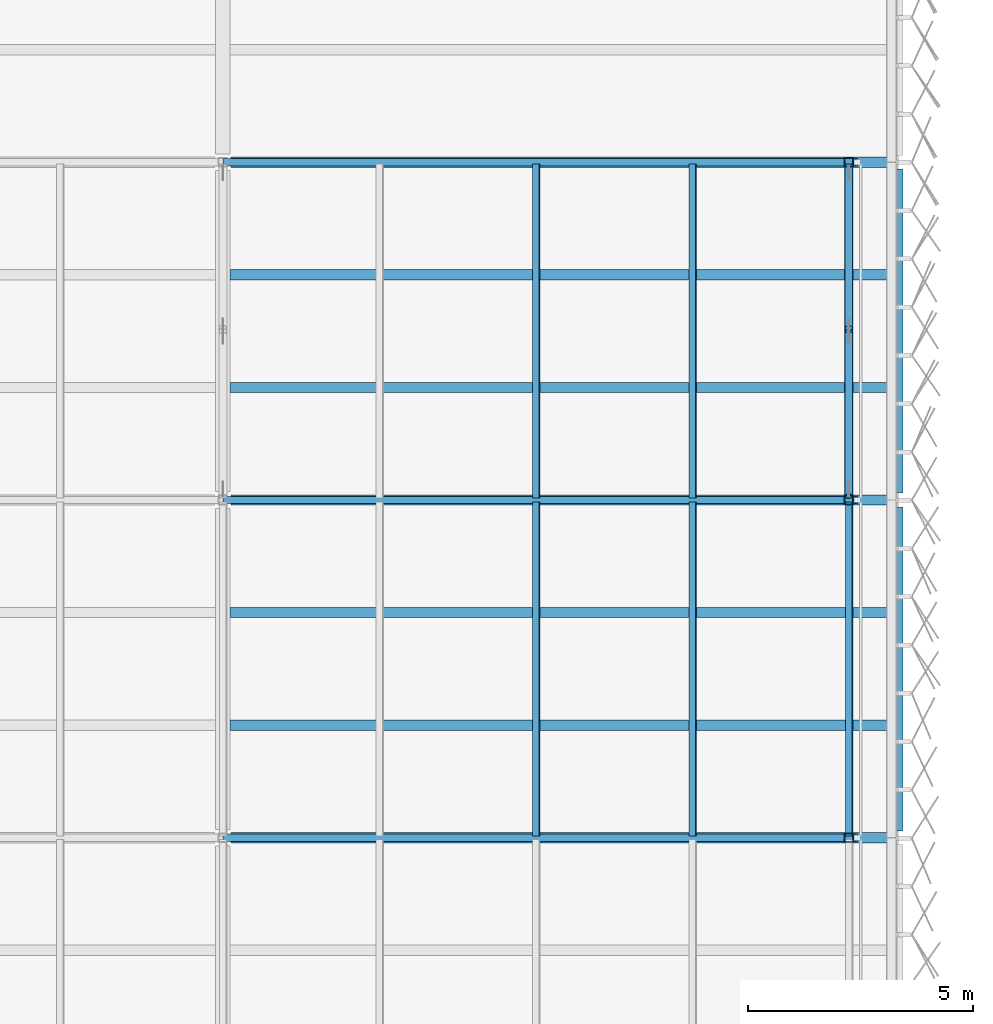
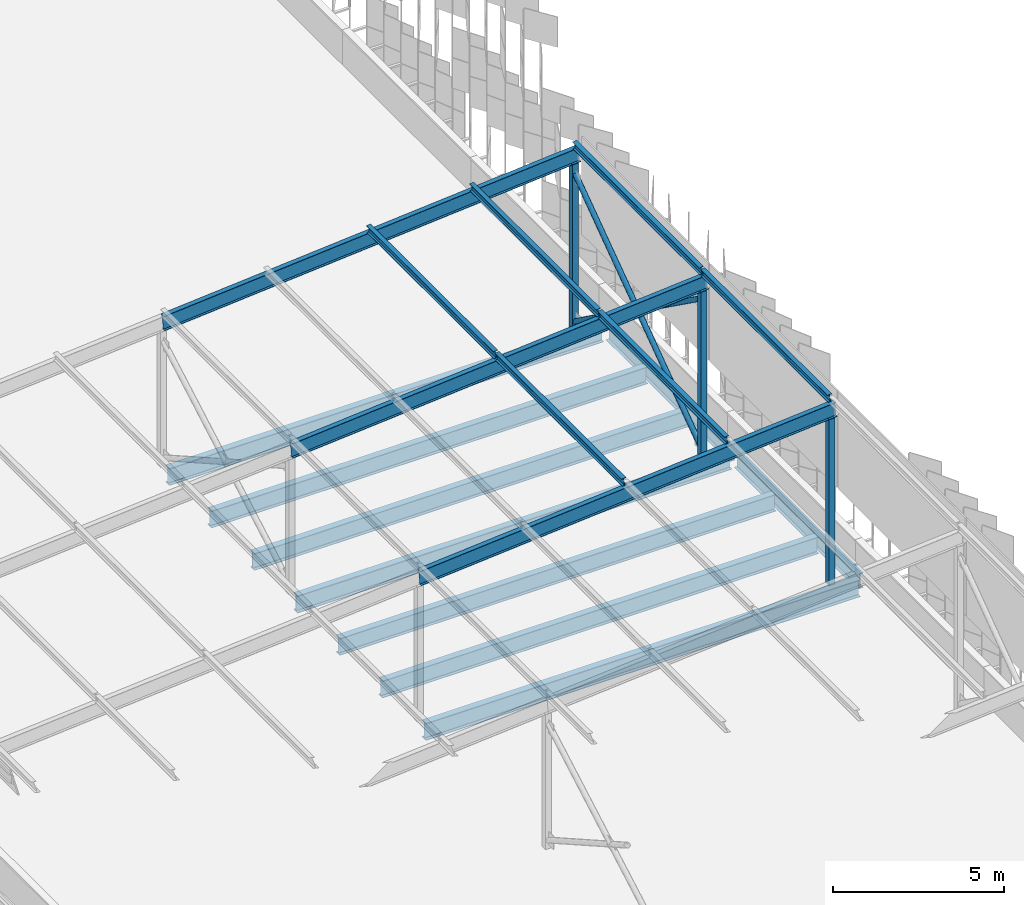
# One storey, part 76 of 483: 15 members, 9 beams.
"""IFC4 building model written with IfcOpenShell, lengths in metres."""

from ifc_helpers import new_model, si_unit, direction, frame, origin, origin_2d, place, context, subcontext, project, spatial, hollow_rectangle, hollow_circle, i_section, extrude, material, material_profile, profile_set, type_object, element, save


model = new_model("IFC4")

# Units and contexts
model_context = context("Model", 3, precision=1e-05, world=origin(), true_north=direction((0.0, 1.0)))
body_context = subcontext(model_context, "Body", "Model", "MODEL_VIEW")
ifc_project = project(units=[si_unit("LENGTHUNIT", "METRE"), si_unit("AREAUNIT", "SQUARE_METRE"), si_unit("VOLUMEUNIT", "CUBIC_METRE"), si_unit("PLANEANGLEUNIT", "RADIAN"), si_unit("MASSUNIT", "GRAM", prefix="KILO")], contexts=[model_context])

# Site, building, storey
site_placement = place(None, origin())
site = spatial("IfcSite", under=ifc_project, at=site_placement, CompositionType="ELEMENT")
building_placement = place(site_placement, origin())
building = spatial("IfcBuilding", under=site, at=building_placement, Name="Parallax Yard Mobility Hub", CompositionType="ELEMENT")
storey_placement = place(building_placement, frame((0.0, 0.0, 13.199951171875)))
storey = spatial("IfcBuildingStorey", under=building, at=storey_placement, Name="L04", CompositionType="ELEMENT", Elevation=13.199951171875)

# Members
ifc_material_1 = material(Name="Steel ASTM A500 Gr C", Category="steel")
ifc_material_profile_1 = material_profile(ifc_material_1, hollow_circle(Radius=0.0888671875, WallThickness=0.0078125, at=origin_2d()), Name="HSS177.8x7.9")
ifc_profile_set_1 = profile_set([ifc_material_profile_1], Name="Steel ASTM A500 Gr C")
member_type_1 = type_object("IfcMemberType", Name="Canopy brace HSS177.8x7.9", PredefinedType="BRACE", material=ifc_profile_set_1)
member_placement = place(storey_placement, frame((223.89990234375, 60.086669921875, 0.300048828125), z_axis=(0.0, 0.812229364316, 0.583338203569), x_axis=(-1.0, 0.0, 0.0)))
element("IfcMember", 1, at=member_placement, inside=storey, type_object=member_type_1, Name="Canopy X brace RC bay E-A bay 4 diagonal A", PredefinedType="BRACE", context=body_context, shape_type="SweptSolid", body=[
    extrude(hollow_circle(Radius=0.0888671875, WallThickness=0.0078125, at=origin_2d()), origin(), (0.0, 0.0, 1.0), 9.0205078125),
])
for number, where, z_axis, x_axis, name in (
    (2, (223.89990234375, 67.413330078125, 0.300048828125), (0.0, -0.812232602015, 0.58333369543), (1.0, 0.0, 0.0), "Canopy X brace RC bay E-A bay 4 diagonal B part 1"),
    (3, (223.89990234375, 63.681884765625, 2.97998046875), (0.0, -0.812232602015, 0.58333369543), (1.0, 0.0, 0.0), "Canopy X brace RC bay E-A bay 4 diagonal B part 2"),
):
    element("IfcMember", number, at=place(storey_placement, frame(where, z_axis=z_axis, x_axis=x_axis)), inside=storey, type_object=member_type_1, Name=name, PredefinedType="BRACE", context=body_context, shape_type="SweptSolid", body=[
        extrude(hollow_circle(Radius=0.0888671875, WallThickness=0.0078125, at=origin_2d()), origin(), (0.0, 0.0, 1.0), 4.42626953125),
    ])
ifc_material_profile_2 = material_profile(ifc_material_1, hollow_rectangle(XDim=0.203125, YDim=0.203125, WallThickness=0.009521484375, at=origin_2d()), Name="HSS203x203x9.5")
ifc_profile_set_2 = profile_set([ifc_material_profile_2], Name="Steel ASTM A500 Gr C")
member_type_2 = type_object("IfcMemberType", Name="Canopy post HSS203x203x9.5", PredefinedType="POST", material=ifc_profile_set_2)
for number, where, z_axis, x_axis, name in (
    (4, (223.89990234375, 52.5, 0.0), (0.0, 0.0, 1.0), (1.0, 0.0, 0.0), "Canopy post RC/E-A3"),
    (5, (223.89990234375, 60.0, 0.0), (0.0, 0.0, 1.0), (1.0, 0.0, 0.0), "Canopy post RC/E-A4"),
    (6, (223.89990234375, 67.5, 0.0), (0.0, 0.0, 1.0), (1.0, 0.0, 0.0), "Canopy post RC/E-A5"),
):
    element("IfcMember", number, at=place(storey_placement, frame(where, z_axis=z_axis, x_axis=x_axis)), inside=storey, type_object=member_type_2, Name=name, PredefinedType="POST", context=body_context, shape_type="SweptSolid", body=[
        extrude(hollow_rectangle(XDim=0.203125, YDim=0.203125, WallThickness=0.009521484375, at=origin_2d()), origin(), (0.0, 0.0, 1.0), 5.922119140625),
    ])
ifc_material_2 = material(Name="Steel ASTM A992", Category="steel")
ifc_material_profile_3 = material_profile(ifc_material_2, i_section(OverallWidth=0.14794921875, OverallDepth=0.26611328125, WebThickness=0.007568359375, FlangeThickness=0.012939453125, at=origin_2d()), Name="W250x45")
ifc_profile_set_3 = profile_set([ifc_material_profile_3], Name="Steel ASTM A992")
member_type_3 = type_object("IfcMemberType", Name="Canopy purlin W250x45", PredefinedType="PURLIN", material=ifc_profile_set_3)
for number, where, z_axis, x_axis, name in (
    (7, (216.960693359375, 52.5400390625, 6.01806640625), (0.0, 1.0, 0.0), (-0.996815308126, 0.0, -0.079744852409), "Canopy purlin sector E-A bay 3 line 7"),
    (8, (220.435546875, 52.5400390625, 6.296142578125), (0.0, 1.0, 0.0), (-0.996815308126, 0.0, -0.079744852409), "Canopy purlin sector E-A bay 3 line 8"),
    (9, (223.91064453125, 52.5400390625, 6.573974609375), (0.0, 1.0, 0.0), (-0.996815308126, 0.0, -0.079744852409), "Canopy purlin sector E-A bay 3 line 9"),
    (10, (216.960693359375, 60.0400390625, 6.01806640625), (0.0, 1.0, 0.0), (-0.996815308126, 0.0, -0.079744852409), "Canopy purlin sector E-A bay 4 line 7"),
    (11, (220.435546875, 60.0400390625, 6.296142578125), (0.0, 1.0, 0.0), (-0.996815308126, 0.0, -0.079744852409), "Canopy purlin sector E-A bay 4 line 8"),
    (12, (223.91064453125, 60.0400390625, 6.573974609375), (0.0, 1.0, 0.0), (-0.996815308126, 0.0, -0.079744852409), "Canopy purlin sector E-A bay 4 line 9"),
):
    element("IfcMember", number, at=place(storey_placement, frame(where, z_axis=z_axis, x_axis=x_axis)), inside=storey, type_object=member_type_3, Name=name, PredefinedType="PURLIN", context=body_context, shape_type="SweptSolid", body=[
        extrude(i_section(OverallWidth=0.14794921875, OverallDepth=0.26611328125, WebThickness=0.007568359375, FlangeThickness=0.012939453125, at=origin_2d()), origin(), (0.0, 0.0, 1.0), 7.419921875),
    ])
ifc_material_profile_4 = material_profile(ifc_material_2, i_section(OverallWidth=0.166015625, OverallDepth=0.529052734375, WebThickness=0.009765625, FlangeThickness=0.013671875, at=origin_2d()), Name="W530x74")
ifc_profile_set_4 = profile_set([ifc_material_profile_4], Name="Steel ASTM A992")
member_type_4 = type_object("IfcMemberType", Name="Canopy rafter W530x74", PredefinedType="RAFTER", material=ifc_profile_set_4)
for number, where, z_axis, x_axis, name in (
    (13, (210.02099609375, 52.5, 5.067138671875), (0.996815168385, 0.0, 0.079746599163), (0.0, 1.0, 0.0), "Canopy rafter E-A3 outer span"),
    (14, (210.02099609375, 60.0, 5.067138671875), (0.996815168385, 0.0, 0.079746599163), (0.0, 1.0, 0.0), "Canopy rafter E-A4 outer span"),
    (15, (210.02099609375, 67.5, 5.067138671875), (0.996815168385, 0.0, 0.079746599163), (0.0, 1.0, 0.0), "Canopy rafter E-A5 outer span"),
):
    element("IfcMember", number, at=place(storey_placement, frame(where, z_axis=z_axis, x_axis=x_axis)), inside=storey, type_object=member_type_4, Name=name, PredefinedType="RAFTER", context=body_context, shape_type="SweptSolid", body=[
        extrude(i_section(OverallWidth=0.166015625, OverallDepth=0.529052734375, WebThickness=0.009765625, FlangeThickness=0.013671875, at=origin_2d()), origin(), (0.0, 0.0, 1.0), 14.094970703125),
    ])

# Beams
ifc_material_profile_5 = material_profile(ifc_material_2, i_section(OverallWidth=0.208984375, OverallDepth=0.532958984375, WebThickness=0.01025390625, FlangeThickness=0.015625, FilletRadius=0.0126953125, at=origin_2d()), Name="W530x92")
ifc_profile_set_5 = profile_set([ifc_material_profile_5], Name="Steel ASTM A992")
beam_type_1 = type_object("IfcBeamType", Name="W530x92 edge beam", PredefinedType="SPANDREL", material=ifc_profile_set_5)
for number, where, z_axis, x_axis, name in (
    (16, (225.0, 52.652587890625, -0.406494140625), (0.0, 1.0, 0.0), (-1.0, 0.0, 0.0), "Edge beam SB5 level L04, line 31 of ramped parking decks, span 4"),
    (17, (225.0, 60.152587890625, -0.406494140625), (0.0, 1.0, 0.0), (-1.0, 0.0, 0.0), "Edge beam SB5 level L04, line 31 of ramped parking decks, span 5"),
):
    element("IfcBeam", number, at=place(storey_placement, frame(where, z_axis=z_axis, x_axis=x_axis)), inside=storey, type_object=beam_type_1, Name=name, PredefinedType="SPANDREL", context=body_context, shape_type="SweptSolid", body=[
        extrude(i_section(OverallWidth=0.208984375, OverallDepth=0.532958984375, WebThickness=0.01025390625, FlangeThickness=0.015625, FilletRadius=0.0126953125, at=origin_2d()), origin(), (0.0, 0.0, 1.0), 7.19482421875),
    ])
ifc_material_profile_6 = material_profile(ifc_material_2, i_section(OverallWidth=0.22802734375, OverallDepth=0.60205078125, WebThickness=0.010498046875, FlangeThickness=0.014892578125, FilletRadius=0.0126953125, at=origin_2d()), Name="W610x101")
ifc_profile_set_6 = profile_set([ifc_material_profile_6], Name="Steel ASTM A992")
beam_type_2 = type_object("IfcBeamType", Name="W610x101 secondary beam", PredefinedType="JOIST", material=ifc_profile_set_6)
for number, where, z_axis, x_axis, name in (
    (18, (210.16259765625, 55.0, -0.44091796875), (1.0, 0.0, 0.0), (0.0, 1.0, 0.0), "Secondary beam B3 level L04, 2.5 m north of line H of ramped parking decks, span 2"),
    (19, (210.16259765625, 62.5, -0.44091796875), (1.0, 0.0, 0.0), (0.0, 1.0, 0.0), "Secondary beam B3 level L04, 2.5 m north of line J of ramped parking decks, span 2"),
    (20, (210.16259765625, 57.5, -0.44091796875), (1.0, 0.0, 0.0), (0.0, 1.0, 0.0), "Secondary beam B3 level L04, 5 m north of line H of ramped parking decks, span 2"),
    (21, (210.16259765625, 65.0, -0.44091796875), (1.0, 0.0, 0.0), (0.0, 1.0, 0.0), "Secondary beam B3 level L04, 5 m north of line J of ramped parking decks, span 2"),
):
    element("IfcBeam", number, at=place(storey_placement, frame(where, z_axis=z_axis, x_axis=x_axis)), inside=storey, type_object=beam_type_2, Name=name, PredefinedType="JOIST", context=body_context, shape_type="SweptSolid", body=[
        extrude(i_section(OverallWidth=0.22802734375, OverallDepth=0.60205078125, WebThickness=0.010498046875, FlangeThickness=0.014892578125, FilletRadius=0.0126953125, at=origin_2d()), origin(), (0.0, 0.0, 1.0), 14.73291015625),
    ])
ifc_material_profile_7 = material_profile(ifc_material_2, i_section(OverallWidth=0.22900390625, OverallDepth=0.612060546875, WebThickness=0.011962890625, FlangeThickness=0.01953125, FilletRadius=0.0126953125, at=origin_2d()), Name="W610x125")
ifc_profile_set_7 = profile_set([ifc_material_profile_7], Name="Steel ASTM A992")
beam_type_3 = type_object("IfcBeamType", Name="W610x125 girder", PredefinedType="BEAM", material=ifc_profile_set_7)
for number, where, z_axis, x_axis, name in (
    (22, (210.18408203125, 52.5, -0.446044921875), (1.0, 0.0, 0.0), (0.0, 1.0, 0.0), "Girder G3 level L04, line H of ramped parking decks, span 2"),
    (23, (210.18408203125, 60.0, -0.446044921875), (1.0, 0.0, 0.0), (0.0, 1.0, 0.0), "Girder G3 level L04, line J of ramped parking decks, span 2"),
    (24, (210.18408203125, 67.5, -0.446044921875), (1.0, 0.0, 0.0), (0.0, 1.0, 0.0), "Girder G3 level L04, line K of ramped parking decks, span 2"),
):
    element("IfcBeam", number, at=place(storey_placement, frame(where, z_axis=z_axis, x_axis=x_axis)), inside=storey, type_object=beam_type_3, Name=name, PredefinedType="BEAM", context=body_context, shape_type="SweptSolid", body=[
        extrude(i_section(OverallWidth=0.22900390625, OverallDepth=0.612060546875, WebThickness=0.011962890625, FlangeThickness=0.01953125, FilletRadius=0.0126953125, at=origin_2d()), origin(), (0.0, 0.0, 1.0), 14.662353515625),
    ])

save(model, "model.ifc")
